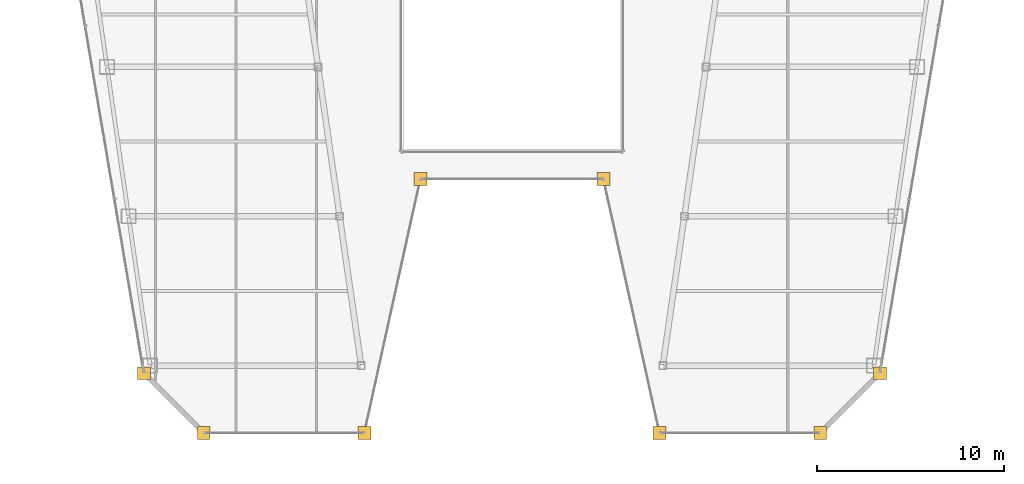
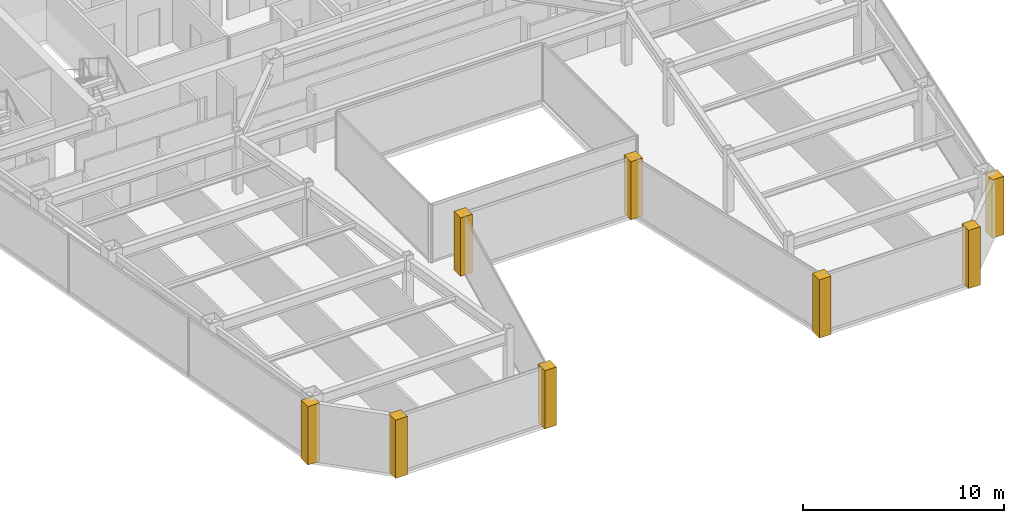
# One storey, part 33 of 35: 8 coverings.
"""IFC4 building model written with IfcOpenShell, lengths in metres."""

from ifc_helpers import new_model, si_unit, direction, frame, origin, place, context, subcontext, project, spatial, polyline, outline, extrude, material, layer, layer_set, type_object, element, save


model = new_model("IFC4")

# Units and contexts
model_context = context("Model", 3, precision=1e-05, world=origin(), true_north=direction((0.0, 1.0)))
body_context = subcontext(model_context, "Body", "Model", "MODEL_VIEW")
ifc_project = project(units=[si_unit("LENGTHUNIT", "METRE"), si_unit("AREAUNIT", "SQUARE_METRE"), si_unit("VOLUMEUNIT", "CUBIC_METRE"), si_unit("PLANEANGLEUNIT", "RADIAN"), si_unit("MASSUNIT", "GRAM", prefix="KILO")], contexts=[model_context])

# Site, building, storey
site_placement = place(None, origin())
site = spatial("IfcSite", under=ifc_project, at=site_placement, CompositionType="ELEMENT")
building_placement = place(site_placement, origin())
building = spatial("IfcBuilding", under=site, at=building_placement, Name="Saevonmaru Cultural Tower", CompositionType="ELEMENT")
storey_placement = place(building_placement, frame((0.0, 0.0, 190.39990234375)))
storey = spatial("IfcBuildingStorey", under=building, at=storey_placement, Name="L43", CompositionType="ELEMENT", Elevation=190.39990234375)

# Coverings
ifc_material = material(Name="Satin Bronze Anodised Aluminium", Category="aluminium")
ifc_layer = layer(ifc_material, 0.679931640625, Name="Satin Bronze Anodised Aluminium")
ifc_layer_set = layer_set([ifc_layer], Name="Satin Bronze Anodised Aluminium")
covering_type = type_object("IfcCoveringType", Name="CV-CORNER-CLAD", PredefinedType="CLADDING", material=ifc_layer_set)
covering_1_placement = place(storey_placement, origin())
element("IfcCovering", 1, at=covering_1_placement, inside=storey, type_object=covering_type, Name="L43 Tower Bronze Corner Cladding Pier 1", PredefinedType="CLADDING", context=body_context, shape_type="SweptSolid", body=[
    extrude(outline(polyline([(9.9580078125, 15.260009765625), (10.637939453125, 15.260009765625), (10.637939453125, 15.93994140625), (9.9580078125, 15.93994140625), (9.9580078125, 15.260009765625)])), origin(), (0.0, 0.0, 1.0), 3.550048828125),
])
covering_2_placement = place(storey_placement, origin())
element("IfcCovering", 2, at=covering_2_placement, inside=storey, type_object=covering_type, Name="L43 Tower Bronze Corner Cladding Pier 2", PredefinedType="CLADDING", context=body_context, shape_type="SweptSolid", body=[
    extrude(outline(polyline([(13.157958984375, 12.06005859375), (13.837890625, 12.06005859375), (13.837890625, 12.739990234375), (13.157958984375, 12.739990234375), (13.157958984375, 12.06005859375)])), origin(), (0.0, 0.0, 1.0), 3.550048828125),
])
covering_3_placement = place(storey_placement, origin())
element("IfcCovering", 3, at=covering_3_placement, inside=storey, type_object=covering_type, Name="L43 Tower Bronze Corner Cladding Pier 3", PredefinedType="CLADDING", context=body_context, shape_type="SweptSolid", body=[
    extrude(outline(polyline([(21.758056640625, 12.06005859375), (22.43798828125, 12.06005859375), (22.43798828125, 12.739990234375), (21.758056640625, 12.739990234375), (21.758056640625, 12.06005859375)])), origin(), (0.0, 0.0, 1.0), 3.550048828125),
])
covering_4_placement = place(storey_placement, origin())
element("IfcCovering", 4, at=covering_4_placement, inside=storey, type_object=covering_type, Name="L43 Tower Bronze Corner Cladding Pier 4", PredefinedType="CLADDING", context=body_context, shape_type="SweptSolid", body=[
    extrude(outline(polyline([(24.758056640625, 25.659912109375), (25.43798828125, 25.659912109375), (25.43798828125, 26.340087890625), (24.758056640625, 26.340087890625), (24.758056640625, 25.659912109375)])), origin(), (0.0, 0.0, 1.0), 3.550048828125),
])
covering_5_placement = place(storey_placement, origin())
element("IfcCovering", 5, at=covering_5_placement, inside=storey, type_object=covering_type, Name="L43 Tower Bronze Corner Cladding Pier 5", PredefinedType="CLADDING", context=body_context, shape_type="SweptSolid", body=[
    extrude(outline(polyline([(34.56201171875, 25.659912109375), (35.241943359375, 25.659912109375), (35.241943359375, 26.340087890625), (34.56201171875, 26.340087890625), (34.56201171875, 25.659912109375)])), origin(), (0.0, 0.0, 1.0), 3.550048828125),
])
covering_6_placement = place(storey_placement, origin())
element("IfcCovering", 6, at=covering_6_placement, inside=storey, type_object=covering_type, Name="L43 Tower Bronze Corner Cladding Pier 6", PredefinedType="CLADDING", context=body_context, shape_type="SweptSolid", body=[
    extrude(outline(polyline([(37.56201171875, 12.06005859375), (38.241943359375, 12.06005859375), (38.241943359375, 12.739990234375), (37.56201171875, 12.739990234375), (37.56201171875, 12.06005859375)])), origin(), (0.0, 0.0, 1.0), 3.550048828125),
])
covering_7_placement = place(storey_placement, origin())
element("IfcCovering", 7, at=covering_7_placement, inside=storey, type_object=covering_type, Name="L43 Tower Bronze Corner Cladding Pier 7", PredefinedType="CLADDING", context=body_context, shape_type="SweptSolid", body=[
    extrude(outline(polyline([(46.162109375, 12.06005859375), (46.842041015625, 12.06005859375), (46.842041015625, 12.739990234375), (46.162109375, 12.739990234375), (46.162109375, 12.06005859375)])), origin(), (0.0, 0.0, 1.0), 3.550048828125),
])
covering_8_placement = place(storey_placement, origin())
element("IfcCovering", 8, at=covering_8_placement, inside=storey, type_object=covering_type, Name="L43 Tower Bronze Corner Cladding Pier 8", PredefinedType="CLADDING", context=body_context, shape_type="SweptSolid", body=[
    extrude(outline(polyline([(49.362060546875, 15.260009765625), (50.0419921875, 15.260009765625), (50.0419921875, 15.93994140625), (49.362060546875, 15.93994140625), (49.362060546875, 15.260009765625)])), origin(), (0.0, 0.0, 1.0), 3.550048828125),
])

save(model, "model.ifc")
